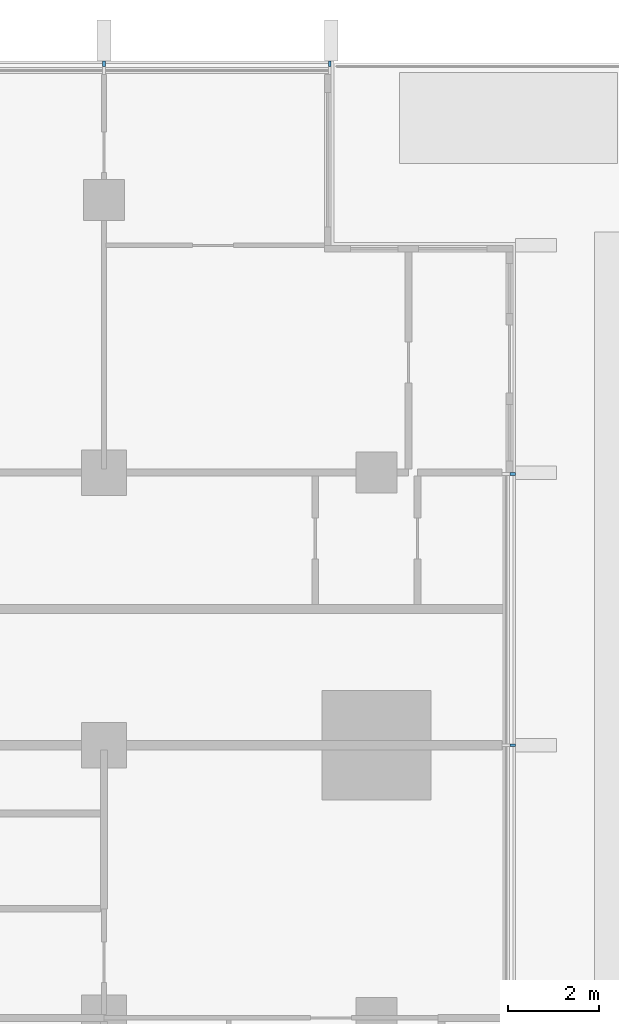
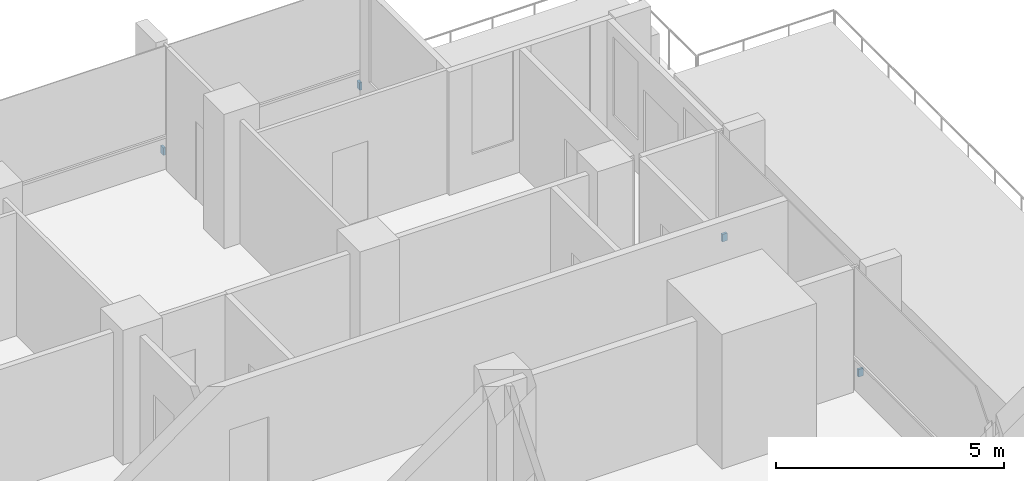
# One storey, part 16 of 18: 4 discrete accessories.
"""IFC4 building model written with IfcOpenShell, lengths in metres."""

from ifc_helpers import new_model, si_unit, direction, frame, origin, origin_2d, place, context, subcontext, project, spatial, rectangle, extrude, material, type_object, element, save


model = new_model("IFC4")

# Units and contexts
model_context = context("Model", 3, precision=1e-05, world=origin(), true_north=direction((0.0, 1.0)))
body_context = subcontext(model_context, "Body", "Model", "MODEL_VIEW")
ifc_project = project(units=[si_unit("LENGTHUNIT", "METRE"), si_unit("AREAUNIT", "SQUARE_METRE"), si_unit("VOLUMEUNIT", "CUBIC_METRE"), si_unit("PLANEANGLEUNIT", "RADIAN"), si_unit("MASSUNIT", "GRAM", prefix="KILO")], contexts=[model_context])

# Site, building, storey
site_placement = place(None, origin())
site = spatial("IfcSite", under=ifc_project, at=site_placement, CompositionType="ELEMENT")
building_placement = place(site_placement, origin())
building = spatial("IfcBuilding", under=site, at=building_placement, Name="Finial Court Residences", CompositionType="ELEMENT")
storey_placement = place(building_placement, frame((0.0, 0.0, 149.300048828125)))
storey = spatial("IfcBuildingStorey", under=building, at=storey_placement, Name="L36", CompositionType="ELEMENT", Elevation=149.300048828125)

# Discrete accessories
ifc_material = material(Name="Stainless steel 316", Category="steel")
discrete_accessory_type = type_object("IfcDiscreteAccessoryType", Name="Fin bracket, stainless steel 60 x 122 x 200", PredefinedType="BRACKET", material=ifc_material)
for number, where, z_axis, x_axis, name in (
    (1, (10.5, 22.498779296875, 0.2998046875), (0.0, 0.0, 1.0), (1.0, 0.0, 0.0), "E-L36-FIN-N5-BRK"),
    (2, (15.469970703125, 22.498779296875, 0.2998046875), (0.0, 0.0, 1.0), (1.0, 0.0, 0.0), "E-L36-FIN-N6-BRK"),
):
    element("IfcDiscreteAccessory", number, at=place(storey_placement, frame(where, z_axis=z_axis, x_axis=x_axis)), inside=storey, type_object=discrete_accessory_type, Name=name, PredefinedType="BRACKET", context=body_context, shape_type="SweptSolid", body=[
        extrude(rectangle(XDim=0.06005859375, YDim=0.12255859375, at=origin_2d()), origin(), (0.0, 0.0, 1.0), 0.199951171875),
    ])
for number, where, z_axis, x_axis, name in (
    (3, (19.498779296875, 7.5, 0.2998046875), (0.0, 0.0, 1.0), (1.0, 0.0, 0.0), "E-L36-FIN-E11-BRK"),
    (4, (19.498779296875, 13.469970703125, 0.2998046875), (0.0, 0.0, 1.0), (1.0, 0.0, 0.0), "E-L36-FIN-E12-BRK"),
):
    element("IfcDiscreteAccessory", number, at=place(storey_placement, frame(where, z_axis=z_axis, x_axis=x_axis)), inside=storey, type_object=discrete_accessory_type, Name=name, PredefinedType="BRACKET", context=body_context, shape_type="SweptSolid", body=[
        extrude(rectangle(XDim=0.12255859375, YDim=0.06005859375, at=origin_2d()), origin(), (0.0, 0.0, 1.0), 0.199951171875),
    ])

save(model, "model.ifc")
